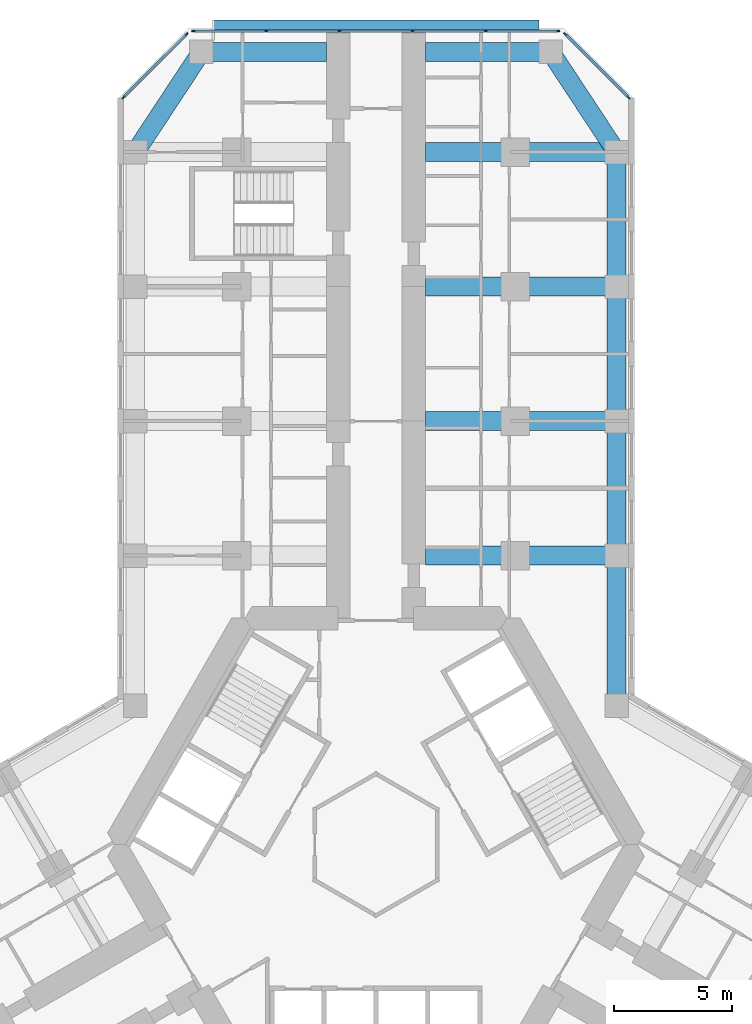
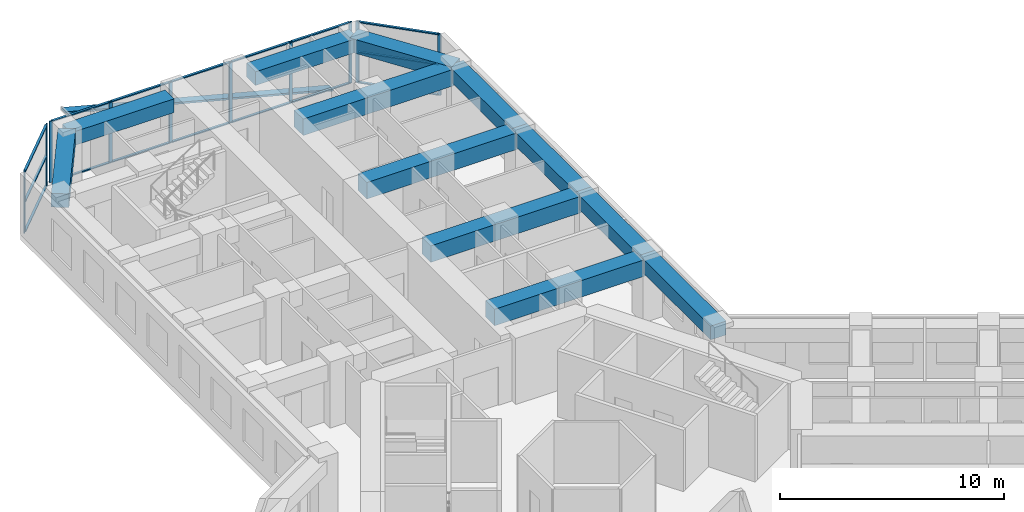
# One storey, part 7 of 21: 27 members, 12 beams, 3 elements without a shape of their own.
"""IFC4 building model written with IfcOpenShell, lengths in metres."""

import ifcopenshell
import ifcopenshell.guid

model = None  # the IFC model being written
_history = None  # IfcOwnerHistory: only IFC2X3 demands one
_inside = {}  # id of a spatial element -> (the spatial element, [elements in it])
_under = {}  # id of a project, library or spatial element -> (it, [spatial elements below it])
_declared = {}  # id of a project -> (the project, [libraries it declares])
_typed = {}  # id of a type object -> (the type object, [elements of that type])
_made_of = {}  # id of a material, layer set ... -> (it, [elements and type objects made of it])


def new_model(schema):
    """Start an empty IFC model of exactly this schema.

    Asked for "IFC4X3", IfcOpenShell would pick the latest addendum, in which some entities
    have other attributes; the version numbers below select the first issue.
    IFC2X3 requires an IfcOwnerHistory on every rooted entity: one is made here for all.
    """
    global model, _history
    if schema == "IFC4X3":
        model = ifcopenshell.file(schema_version=(4, 3, 0, 0))
    else:
        model = ifcopenshell.file(schema=schema)
    _inside.clear()
    _under.clear()
    _declared.clear()
    _typed.clear()
    _made_of.clear()
    _history = None
    if model.schema == "IFC2X3":
        org = make("IfcOrganization", Name="unknown")
        user = make(
            "IfcPersonAndOrganization",
            ThePerson=make("IfcPerson", FamilyName="unknown"),
            TheOrganization=org,
        )
        app = make(
            "IfcApplication",
            ApplicationDeveloper=org,
            Version="unknown",
            ApplicationFullName="unknown",
            ApplicationIdentifier="unknown",
        )
        _history = make(
            "IfcOwnerHistory",
            OwningUser=user,
            OwningApplication=app,
            ChangeAction="ADDED",
            CreationDate=0,
        )
    return model


def make(cls, **values):
    """One entity of the class cls with the attributes given. An attribute that is None is left unset."""
    return model.create_entity(
        cls, **{name: value for name, value in values.items() if value is not None}
    )


def rooted(cls, **values):
    """An entity with a GlobalId (a new one), such as an element, a storey or a relation."""
    return make(cls, GlobalId=ifcopenshell.guid.new(), OwnerHistory=_history, **values)


def si_unit(unit_type, name, prefix=None):
    """IfcSIUnit, for example si_unit("LENGTHUNIT", "METRE", prefix="MILLI")."""
    return make("IfcSIUnit", UnitType=unit_type, Prefix=prefix, Name=name)


def assignment(units):
    """IfcUnitAssignment: the units of a project."""
    return None if units is None else make("IfcUnitAssignment", Units=units)


def point(xyz):
    """IfcCartesianPoint."""
    return None if xyz is None else make("IfcCartesianPoint", Coordinates=xyz)


def direction(xyz):
    """IfcDirection."""
    return None if xyz is None else make("IfcDirection", DirectionRatios=xyz)


def frame(location, z_axis=None, x_axis=None):
    """IfcAxis2Placement3D, a coordinate frame: its origin and axes. An axis left out is left unset."""
    return make(
        "IfcAxis2Placement3D",
        Location=point(location),
        Axis=direction(z_axis),
        RefDirection=direction(x_axis),
    )


def frame_2d(location, x_axis=None):
    """IfcAxis2Placement2D, a coordinate frame in the plane: its origin and x axis."""
    return make(
        "IfcAxis2Placement2D", Location=point(location), RefDirection=direction(x_axis)
    )


def origin():
    """The frame at (0, 0, 0) with its axes left unset."""
    return frame((0.0, 0.0, 0.0))


def origin_2d():
    """The frame at (0, 0) in the plane with its x axis left unset."""
    return frame_2d((0.0, 0.0))


def place(relative_to, where):
    """IfcLocalPlacement: puts the frame where relative to a parent placement (None: the world)."""
    return make(
        "IfcLocalPlacement", PlacementRelTo=relative_to, RelativePlacement=where
    )


def context(
    kind, dimensions, precision=None, world=None, true_north=None, identifier=None
):
    """IfcGeometricRepresentationContext, for example the 3D "Model" context."""
    return make(
        "IfcGeometricRepresentationContext",
        ContextIdentifier=identifier,
        ContextType=kind,
        CoordinateSpaceDimension=dimensions,
        Precision=precision,
        WorldCoordinateSystem=world,
        TrueNorth=true_north,
    )


def subcontext(parent, identifier, kind, view, scale=None):
    """IfcGeometricRepresentationSubContext, for example "Body" below "Model"."""
    return make(
        "IfcGeometricRepresentationSubContext",
        ContextIdentifier=identifier,
        ContextType=kind,
        ParentContext=parent,
        TargetScale=scale,
        TargetView=view,
    )


def project(units=None, contexts=None):
    """IfcProject with its units and contexts."""
    return rooted(
        "IfcProject",
        Name="project",
        RepresentationContexts=contexts,
        UnitsInContext=assignment(units),
    )


def spatial(cls, under=None, at=None, **own):
    """A site, building, storey or space (cls), placed at a placement, below another one or the project."""
    s = rooted(cls, ObjectPlacement=at, **own)
    if under is not None:
        _under.setdefault(under.id(), (under, []))[1].append(s)
    return s


def profile(cls, at=None, kind="AREA", **sizes):
    """A parametric profile (cls). Its sizes go by their IFC names, for example OverallWidth=200.0."""
    return make(cls, ProfileType=kind, Position=at, **sizes)


def rectangle(**sizes):
    """IfcRectangleProfileDef."""
    return profile("IfcRectangleProfileDef", **sizes)


def extrude(swept, where, along, depth):
    """IfcExtrudedAreaSolid: the profile swept, set in the frame where, extruded along a direction by depth."""
    return make(
        "IfcExtrudedAreaSolid",
        SweptArea=swept,
        Position=where,
        ExtrudedDirection=direction(along),
        Depth=depth,
    )


def shape(context_of_items, identifier, shape_type, items):
    """IfcShapeRepresentation: the items that make up one representation, for example the "Body"."""
    return make(
        "IfcShapeRepresentation",
        ContextOfItems=context_of_items,
        RepresentationIdentifier=identifier,
        RepresentationType=shape_type,
        Items=items,
    )


def material(Name=None, Category=None):
    """IfcMaterial."""
    return make("IfcMaterial", Name=Name, Category=Category)


def material_profile(
    of_material, cross_section, Name=None, Category=None, Priority=None
):
    """IfcMaterialProfile: a cross section and its material."""
    return make(
        "IfcMaterialProfile",
        Name=Name,
        Material=of_material,
        Profile=cross_section,
        Priority=Priority,
        Category=Category,
    )


def profile_set(profiles, Name=None, composite=None):
    """IfcMaterialProfileSet."""
    return make(
        "IfcMaterialProfileSet",
        Name=Name,
        MaterialProfiles=profiles,
        CompositeProfile=composite,
    )


def made_of(thing, what):
    """Note that an element or type object is made of a material, layer set ...; save() writes the relation."""
    if what is not None:
        _made_of.setdefault(what.id(), (what, []))[1].append(thing)
    return thing


def type_object(cls, material=None, **own):
    """A type object (cls), such as IfcWallType, which elements share."""
    return made_of(rooted(cls, **own), material)


def element(
    cls,
    number,
    at=None,
    inside=None,
    cuts=None,
    type_object=None,
    material=None,
    context=None,
    identifier="Body",
    shape_type=None,
    held_by="IfcProductDefinitionShape",
    body=None,
    shapes=None,
    **own,
):
    """One element of the class cls, such as IfcWall. Its Tag is "e" and its number.

    at: its placement. inside: the storey or other place that contains it. cuts: it is an
    opening in that element (IfcRelVoidsElement). A single representation is given by context,
    identifier, shape_type and body (its items); several are given by shapes. held_by: the class
    of the entity that holds the representations. save() writes the other relations.
    """
    e = rooted(cls, Tag="e%d" % number, ObjectPlacement=at, **own)
    if body is not None:
        shapes = [shape(context, identifier, shape_type, body)]
    if shapes is not None:
        e.Representation = make(held_by, Representations=shapes)
    if inside is not None:
        _inside.setdefault(inside.id(), (inside, []))[1].append(e)
    if cuts is not None:
        rooted(
            "IfcRelVoidsElement", RelatingBuildingElement=cuts, RelatedOpeningElement=e
        )
    if type_object is not None:
        _typed.setdefault(type_object.id(), (type_object, []))[1].append(e)
    return made_of(e, material)


def aggregate(whole, parts):
    """IfcRelAggregates: a whole, such as a stair, and the parts it consists of."""
    return rooted("IfcRelAggregates", RelatingObject=whole, RelatedObjects=parts)


def save(model, path):
    """Write the relations noted so far, then the file.

    IfcRelAggregates (storeys below a building ...), IfcRelContainedInSpatialStructure (elements
    in a storey), IfcRelDefinesByType, IfcRelAssociatesMaterial and IfcRelDeclares: one each for
    every whole, place, type object, material and project.
    """
    for whole, parts in _under.values():
        aggregate(whole, parts)
    for where, things in _inside.values():
        rooted(
            "IfcRelContainedInSpatialStructure",
            RelatedElements=things,
            RelatingStructure=where,
        )
    for kind, things in _typed.values():
        rooted("IfcRelDefinesByType", RelatedObjects=things, RelatingType=kind)
    for what, things in _made_of.values():
        rooted("IfcRelAssociatesMaterial", RelatedObjects=things, RelatingMaterial=what)
    for by, libraries in _declared.values():
        rooted("IfcRelDeclares", RelatingContext=by, RelatedDefinitions=libraries)
    model.write(path)


model = new_model("IFC4")

# Units and contexts
model_context = context("Model", 3, precision=1e-05, world=origin(), true_north=direction((0.0, 1.0)))
body_context = subcontext(model_context, "Body", "Model", "MODEL_VIEW")
ifc_project = project(units=[si_unit("LENGTHUNIT", "METRE"), si_unit("AREAUNIT", "SQUARE_METRE"), si_unit("VOLUMEUNIT", "CUBIC_METRE"), si_unit("PLANEANGLEUNIT", "RADIAN"), si_unit("MASSUNIT", "GRAM", prefix="KILO")], contexts=[model_context])

# Site, building, storey
site_placement = place(None, origin())
site = spatial("IfcSite", under=ifc_project, at=site_placement, CompositionType="ELEMENT")
building_placement = place(site_placement, origin())
building = spatial("IfcBuilding", under=site, at=building_placement, Name="Kosmar Iwan School Tower", CompositionType="ELEMENT")
storey_placement = place(building_placement, frame((0.0, 0.0, 61.0)))
storey = spatial("IfcBuildingStorey", under=building, at=storey_placement, Name="L14", CompositionType="ELEMENT", Elevation=61.0)

# Member
ifc_material_1 = material(Name="Black anodised aluminium", Category="aluminium")
ifc_material_profile_1 = material_profile(ifc_material_1, rectangle(XDim=0.10009765625, YDim=0.39990234375, at=origin_2d()), Name="FIN 100x400")
ifc_profile_set_1 = profile_set([ifc_material_profile_1], Name="Black anodised aluminium")
member_type_1 = type_object("IfcMemberType", Name="Diagonal fin 100x400", PredefinedType="USERDEFINED", material=ifc_profile_set_1)
member_1_placement = place(storey_placement, frame((6.898193359375, 34.75, -0.14990234375), z_axis=(-0.967603633438, 0.0, 0.252474174041), x_axis=(0.252474174041, 0.0, 0.967603633438)))
element("IfcMember", 1, at=member_1_placement, inside=storey, type_object=member_type_1, Name="Diagonal fin L14-F08", ObjectType="FIN", PredefinedType="USERDEFINED", context=body_context, shape_type="SweptSolid", body=[
    extrude(rectangle(XDim=0.10009765625, YDim=0.39990234375, at=origin_2d()), origin(), (0.0, 0.0, 1.0), 14.25830078125),
])

# Curtain wall, members
ifc_material_2 = material(Name="Dark glass in black aluminium frame", Category="aluminium")
curtain_wall_type_1 = type_object("IfcCurtainWallType", Name="Chamfer curtain wall dark glass", PredefinedType="USERDEFINED", material=ifc_material_2)
curtain_wall_1_placement = place(storey_placement, origin())
curtain_wall_1 = element("IfcCurtainWall", 2, at=curtain_wall_1_placement, inside=storey, type_object=curtain_wall_type_1, Name="Curtain wall L14-F07", ObjectType="FACETED CURTAIN WALL", PredefinedType="USERDEFINED")
ifc_material_3 = material(Name="Black anodised aluminium", Category="aluminium")
ifc_material_profile_2 = material_profile(ifc_material_3, rectangle(XDim=0.06005859375, YDim=0.159912109375, at=origin_2d()), Name="MULLION 60x160")
ifc_profile_set_2 = profile_set([ifc_material_profile_2], Name="Black anodised aluminium")
member_type_2 = type_object("IfcMemberType", Name="Mullion 60x160", PredefinedType="MULLION", material=ifc_profile_set_2)
member_2_placement = place(storey_placement, frame((10.69775390625, 31.675537109375, 0.0), z_axis=(0.0, 0.0, 1.0), x_axis=(-0.707106781187, -0.707106781187, 0.0)))
member_2 = element("IfcMember", 3, at=member_2_placement, type_object=member_type_2, Name="CW2 mullion 1", PredefinedType="MULLION", context=body_context, shape_type="SweptSolid", body=[
    extrude(rectangle(XDim=0.06005859375, YDim=0.159912109375, at=origin_2d()), origin(), (0.0, 0.0, 1.0), 3.35009765625),
])
member_3_placement = place(storey_placement, frame((8.025390625, 34.34765625, 0.0), z_axis=(0.0, 0.0, 1.0), x_axis=(-0.707106781187, -0.707106781187, 0.0)))
member_3 = element("IfcMember", 4, at=member_3_placement, type_object=member_type_2, Name="CW2 mullion 2", PredefinedType="MULLION", context=body_context, shape_type="SweptSolid", body=[
    extrude(rectangle(XDim=0.06005859375, YDim=0.159912109375, at=origin_2d()), origin(), (0.0, 0.0, 1.0), 3.35009765625),
])

ifc_material_4 = material(Name="Dark glass in black aluminium frame", Category="aluminium")
curtain_wall_type_2 = type_object("IfcCurtainWallType", Name="Tower curtain wall dark glass", PredefinedType="USERDEFINED", material=ifc_material_4)
curtain_wall_2_placement = place(storey_placement, origin())
curtain_wall_2 = element("IfcCurtainWall", 5, at=curtain_wall_2_placement, inside=storey, type_object=curtain_wall_type_2, Name="Curtain wall L14-F08", ObjectType="UNITISED CURTAIN WALL", PredefinedType="USERDEFINED")
member_4_placement = place(storey_placement, frame((7.71826171875, 34.47509765625, 0.0), z_axis=(0.0, 0.0, 1.0), x_axis=(0.0, -1.0, 0.0)))
member_4 = element("IfcMember", 6, at=member_4_placement, type_object=member_type_2, Name="CW1 mullion 1", PredefinedType="MULLION", context=body_context, shape_type="SweptSolid", body=[
    extrude(rectangle(XDim=0.06005859375, YDim=0.159912109375, at=origin_2d()), origin(), (0.0, 0.0, 1.0), 3.35009765625),
])
member_5_placement = place(storey_placement, frame((4.64892578125, 34.47509765625, 0.0), z_axis=(0.0, 0.0, 1.0), x_axis=(0.0, -1.0, 0.0)))
member_5 = element("IfcMember", 7, at=member_5_placement, type_object=member_type_2, Name="CW1 mullion 2", PredefinedType="MULLION", context=body_context, shape_type="SweptSolid", body=[
    extrude(rectangle(XDim=0.06005859375, YDim=0.159912109375, at=origin_2d()), origin(), (0.0, 0.0, 1.0), 3.35009765625),
])
member_6_placement = place(storey_placement, frame((1.549560546875, 34.47509765625, 0.0), z_axis=(0.0, 0.0, 1.0), x_axis=(0.0, -1.0, 0.0)))
member_6 = element("IfcMember", 8, at=member_6_placement, type_object=member_type_2, Name="CW1 mullion 3", PredefinedType="MULLION", context=body_context, shape_type="SweptSolid", body=[
    extrude(rectangle(XDim=0.06005859375, YDim=0.159912109375, at=origin_2d()), origin(), (0.0, 0.0, 1.0), 3.35009765625),
])
member_7_placement = place(storey_placement, frame((-1.549560546875, 34.47509765625, 0.0), z_axis=(0.0, 0.0, 1.0), x_axis=(0.0, -1.0, 0.0)))
member_7 = element("IfcMember", 9, at=member_7_placement, type_object=member_type_2, Name="CW1 mullion 4", PredefinedType="MULLION", context=body_context, shape_type="SweptSolid", body=[
    extrude(rectangle(XDim=0.06005859375, YDim=0.159912109375, at=origin_2d()), origin(), (0.0, 0.0, 1.0), 3.35009765625),
])
member_8_placement = place(storey_placement, frame((-4.64892578125, 34.47509765625, 0.0), z_axis=(0.0, 0.0, 1.0), x_axis=(0.0, -1.0, 0.0)))
member_8 = element("IfcMember", 10, at=member_8_placement, type_object=member_type_2, Name="CW1 mullion 5", PredefinedType="MULLION", context=body_context, shape_type="SweptSolid", body=[
    extrude(rectangle(XDim=0.06005859375, YDim=0.159912109375, at=origin_2d()), origin(), (0.0, 0.0, 1.0), 3.35009765625),
])
member_9_placement = place(storey_placement, frame((-7.71826171875, 34.47509765625, 0.0), z_axis=(0.0, 0.0, 1.0), x_axis=(0.0, -1.0, 0.0)))
member_9 = element("IfcMember", 11, at=member_9_placement, type_object=member_type_2, Name="CW1 mullion 6", PredefinedType="MULLION", context=body_context, shape_type="SweptSolid", body=[
    extrude(rectangle(XDim=0.06005859375, YDim=0.159912109375, at=origin_2d()), origin(), (0.0, 0.0, 1.0), 3.35009765625),
])

curtain_wall_3_placement = place(storey_placement, origin())
curtain_wall_3 = element("IfcCurtainWall", 12, at=curtain_wall_3_placement, inside=storey, type_object=curtain_wall_type_1, Name="Curtain wall L14-F09", ObjectType="FACETED CURTAIN WALL", PredefinedType="USERDEFINED")
member_10_placement = place(storey_placement, frame((-8.025390625, 34.34765625, 0.0), z_axis=(0.0, 0.0, 1.0), x_axis=(0.707106781187, -0.707106781187, 0.0)))
member_10 = element("IfcMember", 13, at=member_10_placement, type_object=member_type_2, Name="CW2 mullion 1", PredefinedType="MULLION", context=body_context, shape_type="SweptSolid", body=[
    extrude(rectangle(XDim=0.06005859375, YDim=0.159912109375, at=origin_2d()), origin(), (0.0, 0.0, 1.0), 3.35009765625),
])
member_11_placement = place(storey_placement, frame((-10.69775390625, 31.675537109375, 0.0), z_axis=(0.0, 0.0, 1.0), x_axis=(0.707106781187, -0.707106781187, 0.0)))
member_11 = element("IfcMember", 14, at=member_11_placement, type_object=member_type_2, Name="CW2 mullion 2", PredefinedType="MULLION", context=body_context, shape_type="SweptSolid", body=[
    extrude(rectangle(XDim=0.06005859375, YDim=0.159912109375, at=origin_2d()), origin(), (0.0, 0.0, 1.0), 3.35009765625),
])

# Beams
ifc_material_5 = material(Name="Concrete C50/60", Category="concrete")
ifc_material_profile_3 = material_profile(ifc_material_5, rectangle(XDim=0.800048828125, YDim=0.75, at=origin_2d()), Name="RC 800x750")
ifc_profile_set_3 = profile_set([ifc_material_profile_3], Name="Concrete C50/60")
beam_type_1 = type_object("IfcBeamType", Name="RC edge beam 800x750", PredefinedType="BEAM", material=ifc_profile_set_3)
beam_1_placement = place(storey_placement, frame((10.199951171875, 5.888916015625, 2.97509765625), z_axis=(0.0, 1.0, 0.0), x_axis=(-1.0, 0.0, 0.0)))
element("IfcBeam", 15, at=beam_1_placement, inside=storey, type_object=beam_type_1, Name="Edge beam AR1", PredefinedType="BEAM", context=body_context, shape_type="SweptSolid", body=[
    extrude(rectangle(XDim=0.800048828125, YDim=0.75, at=origin_2d()), origin(), (0.0, 0.0, 1.0), 6.361083984375),
])
for number, where, z_axis, x_axis, name in (
    (16, (10.199951171875, 12.25, 2.97509765625), (0.0, 1.0, 0.0), (-1.0, 0.0, 0.0), "Edge beam AR2"),
    (17, (10.199951171875, 17.949951171875, 2.97509765625), (0.0, 1.0, 0.0), (-1.0, 0.0, 0.0), "Edge beam AR3"),
):
    element("IfcBeam", number, at=place(storey_placement, frame(where, z_axis=z_axis, x_axis=x_axis)), inside=storey, type_object=beam_type_1, Name=name, PredefinedType="BEAM", context=body_context, shape_type="SweptSolid", body=[
        extrude(rectangle(XDim=0.800048828125, YDim=0.75, at=origin_2d()), origin(), (0.0, 0.0, 1.0), 5.699951171875),
    ])
beam_2_placement = place(storey_placement, frame((10.199951171875, 23.64990234375, 2.97509765625), z_axis=(0.0, 1.0, 0.0), x_axis=(-1.0, 0.0, 0.0)))
element("IfcBeam", 18, at=beam_2_placement, inside=storey, type_object=beam_type_1, Name="Edge beam AR4", PredefinedType="BEAM", context=body_context, shape_type="SweptSolid", body=[
    extrude(rectangle(XDim=0.800048828125, YDim=0.75, at=origin_2d()), origin(), (0.0, 0.0, 1.0), 5.7001953125),
])
ifc_material_6 = material(Name="Concrete C50/60", Category="concrete")
ifc_material_profile_4 = material_profile(ifc_material_6, rectangle(XDim=0.800048828125, YDim=0.75, at=origin_2d()), Name="RC 800x750")
ifc_profile_set_4 = profile_set([ifc_material_profile_4], Name="Concrete C50/60")
beam_type_2 = type_object("IfcBeamType", Name="RC tip beam 800x750", PredefinedType="BEAM", material=ifc_profile_set_4)
beam_3_placement = place(storey_placement, frame((-10.199951171875, 29.35009765625, 2.97509765625), z_axis=(0.550164383043, 0.835056376319, 0.0), x_axis=(-0.835056376319, 0.550164383043, 0.0)))
element("IfcBeam", 19, at=beam_3_placement, inside=storey, type_object=beam_type_2, Name="Tip beam AL", PredefinedType="BEAM", context=body_context, shape_type="SweptSolid", body=[
    extrude(rectangle(XDim=0.800048828125, YDim=0.75, at=origin_2d()), origin(), (0.0, 0.0, 1.0), 5.08935546875),
])
beam_4_placement = place(storey_placement, frame((-7.39990234375, 33.60009765625, 2.97509765625), z_axis=(1.0, 0.0, 0.0), x_axis=(0.0, 1.0, 0.0)))
element("IfcBeam", 20, at=beam_4_placement, inside=storey, type_object=beam_type_2, Name="Tip beam AL to corridor wall", PredefinedType="BEAM", context=body_context, shape_type="SweptSolid", body=[
    extrude(rectangle(XDim=0.800048828125, YDim=0.75, at=origin_2d()), origin(), (0.0, 0.0, 1.0), 5.2998046875),
])
beam_5_placement = place(storey_placement, frame((10.199951171875, 29.35009765625, 2.97509765625), z_axis=(-0.550164383043, 0.835056376319, 0.0), x_axis=(-0.835056376319, -0.550164383043, 0.0)))
element("IfcBeam", 21, at=beam_5_placement, inside=storey, type_object=beam_type_2, Name="Tip beam AR", PredefinedType="BEAM", context=body_context, shape_type="SweptSolid", body=[
    extrude(rectangle(XDim=0.800048828125, YDim=0.75, at=origin_2d()), origin(), (0.0, 0.0, 1.0), 5.08935546875),
])
beam_6_placement = place(storey_placement, frame((7.39990234375, 33.60009765625, 2.97509765625), z_axis=(-1.0, 0.0, 0.0), x_axis=(0.0, -1.0, 0.0)))
element("IfcBeam", 22, at=beam_6_placement, inside=storey, type_object=beam_type_2, Name="Tip beam AR to corridor wall", PredefinedType="BEAM", context=body_context, shape_type="SweptSolid", body=[
    extrude(rectangle(XDim=0.800048828125, YDim=0.75, at=origin_2d()), origin(), (0.0, 0.0, 1.0), 5.2998046875),
])
ifc_material_7 = material(Name="Concrete C50/60", Category="concrete")
ifc_material_profile_5 = material_profile(ifc_material_7, rectangle(XDim=0.800048828125, YDim=0.89990234375, at=origin_2d()), Name="RC 800x900")
ifc_profile_set_5 = profile_set([ifc_material_profile_5], Name="Concrete C50/60")
beam_type_3 = type_object("IfcBeamType", Name="RC transverse beam 800x900", PredefinedType="BEAM", material=ifc_profile_set_5)
for number, where, z_axis, x_axis, name in (
    (23, (10.199951171875, 12.25, 2.89990234375), (-1.0, 0.0, 0.0), (0.0, -1.0, 0.0), "Transverse beam AR1"),
    (24, (10.199951171875, 17.949951171875, 2.89990234375), (-1.0, 0.0, 0.0), (0.0, -1.0, 0.0), "Transverse beam AR2"),
    (25, (10.199951171875, 23.64990234375, 2.89990234375), (-1.0, 0.0, 0.0), (0.0, -1.0, 0.0), "Transverse beam AR3"),
    (26, (10.199951171875, 29.35009765625, 2.89990234375), (-1.0, 0.0, 0.0), (0.0, -1.0, 0.0), "Transverse beam AR4"),
):
    element("IfcBeam", number, at=place(storey_placement, frame(where, z_axis=z_axis, x_axis=x_axis)), inside=storey, type_object=beam_type_3, Name=name, PredefinedType="BEAM", context=body_context, shape_type="SweptSolid", body=[
        extrude(rectangle(XDim=0.800048828125, YDim=0.89990234375, at=origin_2d()), origin(), (0.0, 0.0, 1.0), 8.099853515625),
    ])

# Member
ifc_material_8 = material(Name="Black anodised aluminium", Category="aluminium")
ifc_material_profile_6 = material_profile(ifc_material_8, rectangle(XDim=0.1201171875, YDim=0.06005859375, at=origin_2d()), Name="TRANSOM 60x120")
ifc_profile_set_6 = profile_set([ifc_material_profile_6], Name="Black anodised aluminium")
member_type_3 = type_object("IfcMemberType", Name="Transom 60x120", PredefinedType="USERDEFINED", material=ifc_profile_set_6)
member_12_placement = place(storey_placement, frame((10.676513671875, 31.69677734375, 0.030029296875), z_axis=(-0.707139603466, 0.707073957383, 0.0), x_axis=(-0.707073957383, -0.707139603466, 0.0)))
member_12 = element("IfcMember", 27, at=member_12_placement, type_object=member_type_3, Name="CW2 transom 1.1", ObjectType="TRANSOM", PredefinedType="USERDEFINED", context=body_context, shape_type="SweptSolid", body=[
    extrude(rectangle(XDim=0.1201171875, YDim=0.06005859375, at=origin_2d()), origin(), (0.0, 0.0, 1.0), 3.718994140625),
])

member_13_placement = place(storey_placement, frame((10.676513671875, 31.69677734375, 1.675048828125), z_axis=(-0.707139603466, 0.707073957383, 0.0), x_axis=(-0.707073957383, -0.707139603466, 0.0)))
member_13 = element("IfcMember", 28, at=member_13_placement, type_object=member_type_3, Name="CW2 transom 1.2", ObjectType="TRANSOM", PredefinedType="USERDEFINED", context=body_context, shape_type="SweptSolid", body=[
    extrude(rectangle(XDim=0.1201171875, YDim=0.06005859375, at=origin_2d()), origin(), (0.0, 0.0, 1.0), 3.718994140625),
])

member_14_placement = place(storey_placement, frame((10.676513671875, 31.69677734375, 3.320068359375), z_axis=(-0.707139603466, 0.707073957383, 0.0), x_axis=(-0.707073957383, -0.707139603466, 0.0)))
member_14 = element("IfcMember", 29, at=member_14_placement, type_object=member_type_3, Name="CW2 transom 1.3", ObjectType="TRANSOM", PredefinedType="USERDEFINED", context=body_context, shape_type="SweptSolid", body=[
    extrude(rectangle(XDim=0.1201171875, YDim=0.06005859375, at=origin_2d()), origin(), (0.0, 0.0, 1.0), 3.718994140625),
])

aggregate(curtain_wall_1, [member_2, member_3, member_12, member_13, member_14])

member_15_placement = place(storey_placement, frame((7.688232421875, 34.47509765625, 0.030029296875), z_axis=(-1.0, 0.0, 0.0), x_axis=(0.0, -1.0, 0.0)))
member_15 = element("IfcMember", 30, at=member_15_placement, type_object=member_type_3, Name="CW1 transom 1.1", ObjectType="TRANSOM", PredefinedType="USERDEFINED", context=body_context, shape_type="SweptSolid", body=[
    extrude(rectangle(XDim=0.1201171875, YDim=0.06005859375, at=origin_2d()), origin(), (0.0, 0.0, 1.0), 3.00927734375),
])

member_16_placement = place(storey_placement, frame((7.688232421875, 34.47509765625, 3.320068359375), z_axis=(-1.0, 0.0, 0.0), x_axis=(0.0, -1.0, 0.0)))
member_16 = element("IfcMember", 31, at=member_16_placement, type_object=member_type_3, Name="CW1 transom 1.2", ObjectType="TRANSOM", PredefinedType="USERDEFINED", context=body_context, shape_type="SweptSolid", body=[
    extrude(rectangle(XDim=0.1201171875, YDim=0.06005859375, at=origin_2d()), origin(), (0.0, 0.0, 1.0), 3.00927734375),
])

member_17_placement = place(storey_placement, frame((4.618896484375, 34.47509765625, 0.030029296875), z_axis=(-1.0, 0.0, 0.0), x_axis=(0.0, -1.0, 0.0)))
member_17 = element("IfcMember", 32, at=member_17_placement, type_object=member_type_3, Name="CW1 transom 2.1", ObjectType="TRANSOM", PredefinedType="USERDEFINED", context=body_context, shape_type="SweptSolid", body=[
    extrude(rectangle(XDim=0.1201171875, YDim=0.06005859375, at=origin_2d()), origin(), (0.0, 0.0, 1.0), 3.039306640625),
])

member_18_placement = place(storey_placement, frame((4.618896484375, 34.47509765625, 3.320068359375), z_axis=(-1.0, 0.0, 0.0), x_axis=(0.0, -1.0, 0.0)))
member_18 = element("IfcMember", 33, at=member_18_placement, type_object=member_type_3, Name="CW1 transom 2.2", ObjectType="TRANSOM", PredefinedType="USERDEFINED", context=body_context, shape_type="SweptSolid", body=[
    extrude(rectangle(XDim=0.1201171875, YDim=0.06005859375, at=origin_2d()), origin(), (0.0, 0.0, 1.0), 3.039306640625),
])

member_19_placement = place(storey_placement, frame((1.51953125, 34.47509765625, 0.030029296875), z_axis=(-1.0, 0.0, 0.0), x_axis=(0.0, -1.0, 0.0)))
member_19 = element("IfcMember", 34, at=member_19_placement, type_object=member_type_3, Name="CW1 transom 3.1", ObjectType="TRANSOM", PredefinedType="USERDEFINED", context=body_context, shape_type="SweptSolid", body=[
    extrude(rectangle(XDim=0.1201171875, YDim=0.06005859375, at=origin_2d()), origin(), (0.0, 0.0, 1.0), 3.0390625),
])

member_20_placement = place(storey_placement, frame((1.51953125, 34.47509765625, 3.320068359375), z_axis=(-1.0, 0.0, 0.0), x_axis=(0.0, -1.0, 0.0)))
member_20 = element("IfcMember", 35, at=member_20_placement, type_object=member_type_3, Name="CW1 transom 3.2", ObjectType="TRANSOM", PredefinedType="USERDEFINED", context=body_context, shape_type="SweptSolid", body=[
    extrude(rectangle(XDim=0.1201171875, YDim=0.06005859375, at=origin_2d()), origin(), (0.0, 0.0, 1.0), 3.0390625),
])

member_21_placement = place(storey_placement, frame((-1.57958984375, 34.47509765625, 0.030029296875), z_axis=(-1.0, 0.0, 0.0), x_axis=(0.0, -1.0, 0.0)))
member_21 = element("IfcMember", 36, at=member_21_placement, type_object=member_type_3, Name="CW1 transom 4.1", ObjectType="TRANSOM", PredefinedType="USERDEFINED", context=body_context, shape_type="SweptSolid", body=[
    extrude(rectangle(XDim=0.1201171875, YDim=0.06005859375, at=origin_2d()), origin(), (0.0, 0.0, 1.0), 3.039306640625),
])

member_22_placement = place(storey_placement, frame((-1.57958984375, 34.47509765625, 3.320068359375), z_axis=(-1.0, 0.0, 0.0), x_axis=(0.0, -1.0, 0.0)))
member_22 = element("IfcMember", 37, at=member_22_placement, type_object=member_type_3, Name="CW1 transom 4.2", ObjectType="TRANSOM", PredefinedType="USERDEFINED", context=body_context, shape_type="SweptSolid", body=[
    extrude(rectangle(XDim=0.1201171875, YDim=0.06005859375, at=origin_2d()), origin(), (0.0, 0.0, 1.0), 3.039306640625),
])

member_23_placement = place(storey_placement, frame((-4.678955078125, 34.47509765625, 0.030029296875), z_axis=(-1.0, 0.0, 0.0), x_axis=(0.0, -1.0, 0.0)))
member_23 = element("IfcMember", 38, at=member_23_placement, type_object=member_type_3, Name="CW1 transom 5.1", ObjectType="TRANSOM", PredefinedType="USERDEFINED", context=body_context, shape_type="SweptSolid", body=[
    extrude(rectangle(XDim=0.1201171875, YDim=0.06005859375, at=origin_2d()), origin(), (0.0, 0.0, 1.0), 3.00927734375),
])

member_24_placement = place(storey_placement, frame((-4.678955078125, 34.47509765625, 3.320068359375), z_axis=(-1.0, 0.0, 0.0), x_axis=(0.0, -1.0, 0.0)))
member_24 = element("IfcMember", 39, at=member_24_placement, type_object=member_type_3, Name="CW1 transom 5.2", ObjectType="TRANSOM", PredefinedType="USERDEFINED", context=body_context, shape_type="SweptSolid", body=[
    extrude(rectangle(XDim=0.1201171875, YDim=0.06005859375, at=origin_2d()), origin(), (0.0, 0.0, 1.0), 3.00927734375),
])

aggregate(curtain_wall_2, [member_4, member_5, member_6, member_7, member_8, member_9, member_15, member_16, member_17, member_18, member_19, member_20, member_21, member_22, member_23, member_24])

member_25_placement = place(storey_placement, frame((-8.046630859375, 34.326416015625, 0.030029296875), z_axis=(-0.707139603466, -0.707073957383, 0.0), x_axis=(0.707073957383, -0.707139603466, 0.0)))
member_25 = element("IfcMember", 40, at=member_25_placement, type_object=member_type_3, Name="CW2 transom 1.1", ObjectType="TRANSOM", PredefinedType="USERDEFINED", context=body_context, shape_type="SweptSolid", body=[
    extrude(rectangle(XDim=0.1201171875, YDim=0.06005859375, at=origin_2d()), origin(), (0.0, 0.0, 1.0), 3.718994140625),
])

member_26_placement = place(storey_placement, frame((-8.046630859375, 34.326416015625, 1.675048828125), z_axis=(-0.707139603466, -0.707073957383, 0.0), x_axis=(0.707073957383, -0.707139603466, 0.0)))
member_26 = element("IfcMember", 41, at=member_26_placement, type_object=member_type_3, Name="CW2 transom 1.2", ObjectType="TRANSOM", PredefinedType="USERDEFINED", context=body_context, shape_type="SweptSolid", body=[
    extrude(rectangle(XDim=0.1201171875, YDim=0.06005859375, at=origin_2d()), origin(), (0.0, 0.0, 1.0), 3.718994140625),
])

member_27_placement = place(storey_placement, frame((-8.046630859375, 34.326416015625, 3.320068359375), z_axis=(-0.707139603466, -0.707073957383, 0.0), x_axis=(0.707073957383, -0.707139603466, 0.0)))
member_27 = element("IfcMember", 42, at=member_27_placement, type_object=member_type_3, Name="CW2 transom 1.3", ObjectType="TRANSOM", PredefinedType="USERDEFINED", context=body_context, shape_type="SweptSolid", body=[
    extrude(rectangle(XDim=0.1201171875, YDim=0.06005859375, at=origin_2d()), origin(), (0.0, 0.0, 1.0), 3.718994140625),
])

aggregate(curtain_wall_3, [member_10, member_11, member_25, member_26, member_27])

save(model, "model.ifc")
